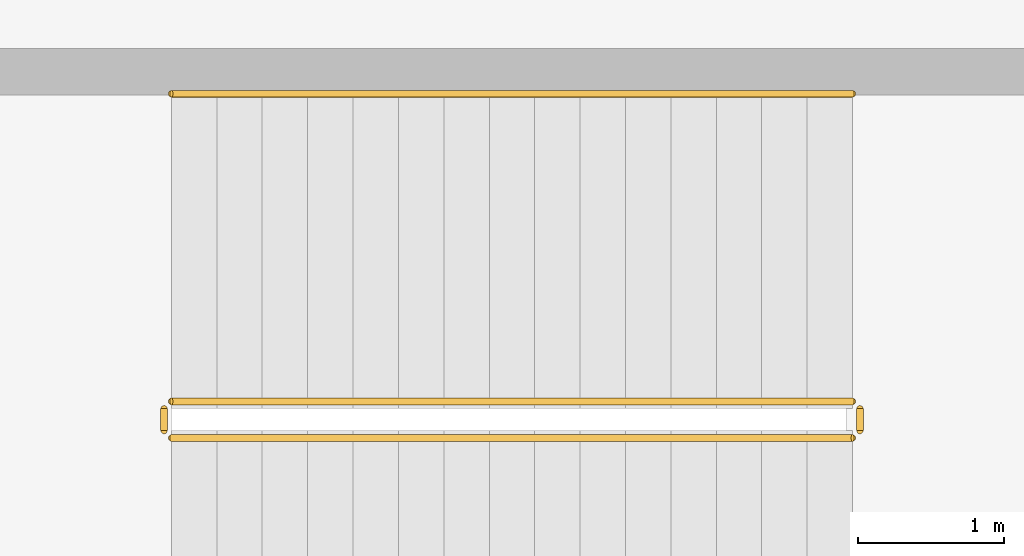
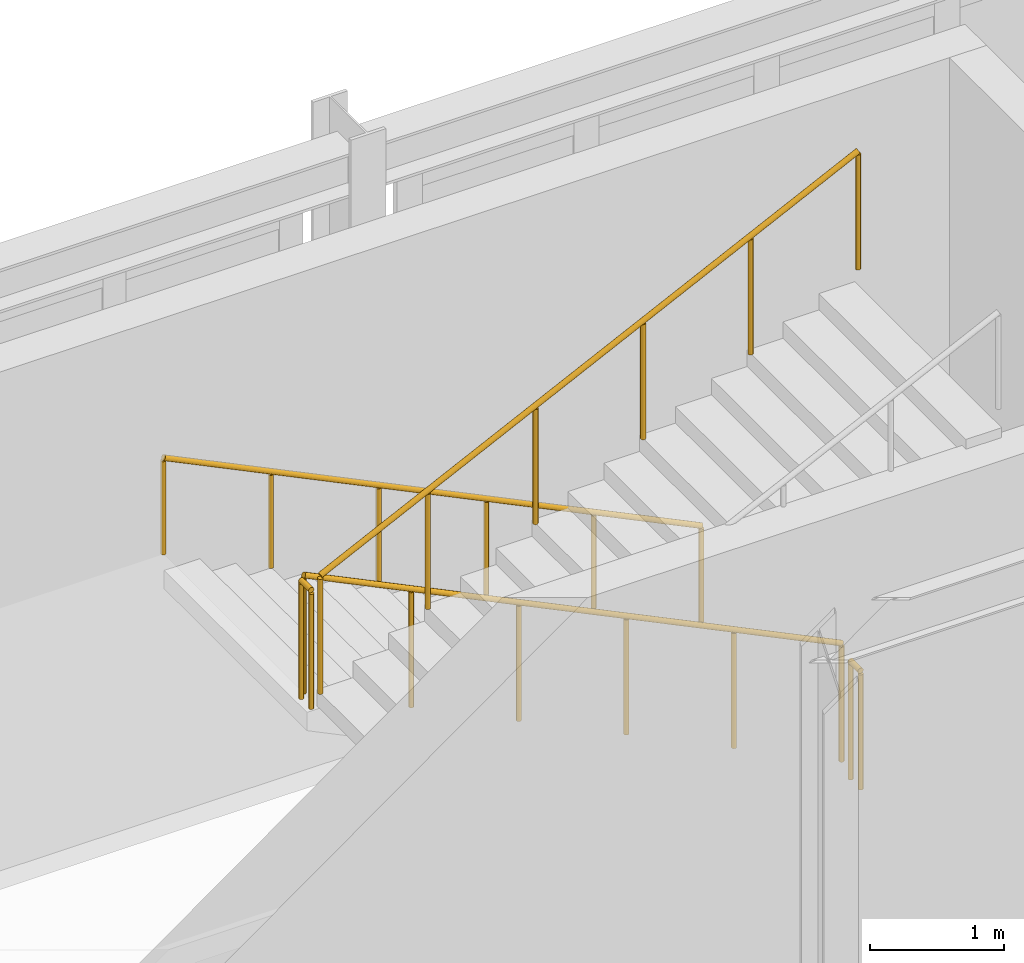
# One storey, part 121 of 121: 5 railings.
"""IFC4 building model written with IfcOpenShell, lengths in metres."""

from ifc_helpers import new_model, si_unit, direction, frame, origin, origin_2d, place, context, subcontext, project, spatial, circle, extrude, material, type_object, element, save


model = new_model("IFC4")

# Units and contexts
model_context = context("Model", 3, precision=1e-05, world=origin(), true_north=direction((0.0, 1.0)))
body_context = subcontext(model_context, "Body", "Model", "MODEL_VIEW")
ifc_project = project(units=[si_unit("LENGTHUNIT", "METRE"), si_unit("AREAUNIT", "SQUARE_METRE"), si_unit("VOLUMEUNIT", "CUBIC_METRE"), si_unit("PLANEANGLEUNIT", "RADIAN"), si_unit("MASSUNIT", "GRAM", prefix="KILO")], contexts=[model_context])

# Site, building, storey
site_placement = place(None, origin())
site = spatial("IfcSite", under=ifc_project, at=site_placement, CompositionType="ELEMENT")
building_placement = place(site_placement, origin())
building = spatial("IfcBuilding", under=site, at=building_placement, Name="Solvadek Multi-Sports Hall", CompositionType="ELEMENT")
storey_placement = place(building_placement, frame((0.0, 0.0, 4.800048828125)))
storey = spatial("IfcBuildingStorey", under=building, at=storey_placement, Name="L01", CompositionType="ELEMENT", Elevation=4.800048828125)

# Railings
ifc_material = material(Name="Steel E250 (250 MPa)", Category="steel")
railing_type_1 = type_object("IfcRailingType", Name="INT-RAL-GRD115", PredefinedType="BALUSTRADE", material=ifc_material)
railing_1_placement = place(storey_placement, frame((146.300048828125, 67.39990234375, 0.14990234375)))
element("IfcRailing", 1, at=railing_1_placement, inside=storey, type_object=railing_type_1, Name="L01 ST-06 stair guard 1", PredefinedType="BALUSTRADE", context=body_context, shape_type="SweptSolid", body=[
    extrude(circle(Radius=0.02392578125, at=origin_2d()), frame((0.0, 0.0, 1.076171875), z_axis=(-0.900164630878, 0.0, 0.435549810373), x_axis=(0.0, -1.0, 0.0)), (0.0, 0.0, 1.0), 5.165771484375),
    extrude(circle(Radius=0.02099609375, at=origin_2d()), origin(), (0.0, 0.0, 1.0), 1.052001953125),
    extrude(circle(Radius=0.02099609375, at=origin_2d()), frame((-0.929931640625, 0.0, 0.449951171875)), (0.0, 0.0, 1.0), 1.052001953125),
    extrude(circle(Radius=0.02099609375, at=origin_2d()), frame((-1.860107421875, 0.0, 0.89990234375)), (0.0, 0.0, 1.0), 1.052001953125),
    extrude(circle(Radius=0.02099609375, at=origin_2d()), frame((-2.7900390625, 0.0, 1.35009765625)), (0.0, 0.0, 1.0), 1.052001953125),
    extrude(circle(Radius=0.02099609375, at=origin_2d()), frame((-3.72021484375, 0.0, 1.800048828125)), (0.0, 0.0, 1.0), 1.052001953125),
    extrude(circle(Radius=0.02099609375, at=origin_2d()), frame((-4.650146484375, 0.0, 2.25)), (0.0, 0.0, 1.0), 1.052001953125),
])
railing_2_placement = place(storey_placement, frame((141.60009765625, 67.35009765625, 2.39990234375)))
element("IfcRailing", 2, at=railing_2_placement, inside=storey, type_object=railing_type_1, Name="L01 ST-06 stair guard 2", PredefinedType="BALUSTRADE", context=body_context, shape_type="SweptSolid", body=[
    extrude(circle(Radius=0.02392578125, at=origin_2d()), frame((0.0, 0.0, 1.076171875), z_axis=(0.0, -1.0, 0.0), x_axis=(1.0, 0.0, 0.0)), (0.0, 0.0, 1.0), 0.150146484375),
    extrude(circle(Radius=0.02099609375, at=origin_2d()), origin(), (0.0, 0.0, 1.0), 1.052001953125),
    extrude(circle(Radius=0.02099609375, at=origin_2d()), frame((0.0, -0.150146484375, 0.0)), (0.0, 0.0, 1.0), 1.052001953125),
])
railing_3_placement = place(storey_placement, frame((141.64990234375, 67.14990234375, 2.550048828125)))
element("IfcRailing", 3, at=railing_3_placement, inside=storey, type_object=railing_type_1, Name="L01 ST-06 stair guard 3", PredefinedType="BALUSTRADE", context=body_context, shape_type="SweptSolid", body=[
    extrude(circle(Radius=0.02392578125, at=origin_2d()), frame((0.0, 0.0, 1.076171875), z_axis=(0.900164630878, 0.0, 0.435549810373), x_axis=(0.0, 1.0, 0.0)), (0.0, 0.0, 1.0), 5.165771484375),
    extrude(circle(Radius=0.02099609375, at=origin_2d()), origin(), (0.0, 0.0, 1.0), 1.052001953125),
    extrude(circle(Radius=0.02099609375, at=origin_2d()), frame((0.929931640625, 0.0, 0.449951171875)), (0.0, 0.0, 1.0), 1.052001953125),
    extrude(circle(Radius=0.02099609375, at=origin_2d()), frame((1.860107421875, 0.0, 0.89990234375)), (0.0, 0.0, 1.0), 1.052001953125),
    extrude(circle(Radius=0.02099609375, at=origin_2d()), frame((2.7900390625, 0.0, 1.35009765625)), (0.0, 0.0, 1.0), 1.052001953125),
    extrude(circle(Radius=0.02099609375, at=origin_2d()), frame((3.72021484375, 0.0, 1.800048828125)), (0.0, 0.0, 1.0), 1.052001953125),
    extrude(circle(Radius=0.02099609375, at=origin_2d()), frame((4.650146484375, 0.0, 2.25)), (0.0, 0.0, 1.0), 1.052001953125),
])
railing_4_placement = place(storey_placement, frame((146.35009765625, 67.35009765625, 0.0)))
element("IfcRailing", 4, at=railing_4_placement, inside=storey, type_object=railing_type_1, Name="L01 ST-06 stair guard 4", PredefinedType="BALUSTRADE", context=body_context, shape_type="SweptSolid", body=[
    extrude(circle(Radius=0.02392578125, at=origin_2d()), frame((0.0, 0.0, 1.076171875), z_axis=(0.0, -1.0, 0.0), x_axis=(1.0, 0.0, 0.0)), (0.0, 0.0, 1.0), 0.150146484375),
    extrude(circle(Radius=0.02099609375, at=origin_2d()), origin(), (0.0, 0.0, 1.0), 1.052001953125),
    extrude(circle(Radius=0.02099609375, at=origin_2d()), frame((0.0, -0.150146484375, 0.0)), (0.0, 0.0, 1.0), 1.052001953125),
])
railing_type_2 = type_object("IfcRailingType", Name="INT-RAL-HND090", PredefinedType="HANDRAIL", material=ifc_material)
railing_5_placement = place(storey_placement, frame((146.300048828125, 69.5, 0.14990234375)))
element("IfcRailing", 5, at=railing_5_placement, inside=storey, type_object=railing_type_2, Name="L01 ST-06 stair handrail 1", PredefinedType="HANDRAIL", context=body_context, shape_type="SweptSolid", body=[
    extrude(circle(Radius=0.02392578125, at=origin_2d()), frame((0.0, 0.0, 0.8759765625), z_axis=(-0.900164630878, 0.0, 0.435549810373), x_axis=(0.0, -1.0, 0.0)), (0.0, 0.0, 1.0), 5.165771484375),
    extrude(circle(Radius=0.02099609375, at=origin_2d()), origin(), (0.0, 0.0, 1.0), 0.851806640625),
    extrude(circle(Radius=0.02099609375, at=origin_2d()), frame((-0.929931640625, 0.0, 0.449951171875)), (0.0, 0.0, 1.0), 0.851806640625),
    extrude(circle(Radius=0.02099609375, at=origin_2d()), frame((-1.860107421875, 0.0, 0.89990234375)), (0.0, 0.0, 1.0), 0.851806640625),
    extrude(circle(Radius=0.02099609375, at=origin_2d()), frame((-2.7900390625, 0.0, 1.35009765625)), (0.0, 0.0, 1.0), 0.851806640625),
    extrude(circle(Radius=0.02099609375, at=origin_2d()), frame((-3.72021484375, 0.0, 1.800048828125)), (0.0, 0.0, 1.0), 0.851806640625),
    extrude(circle(Radius=0.02099609375, at=origin_2d()), frame((-4.650146484375, 0.0, 2.25)), (0.0, 0.0, 1.0), 0.851806640625),
])

save(model, "model.ifc")
